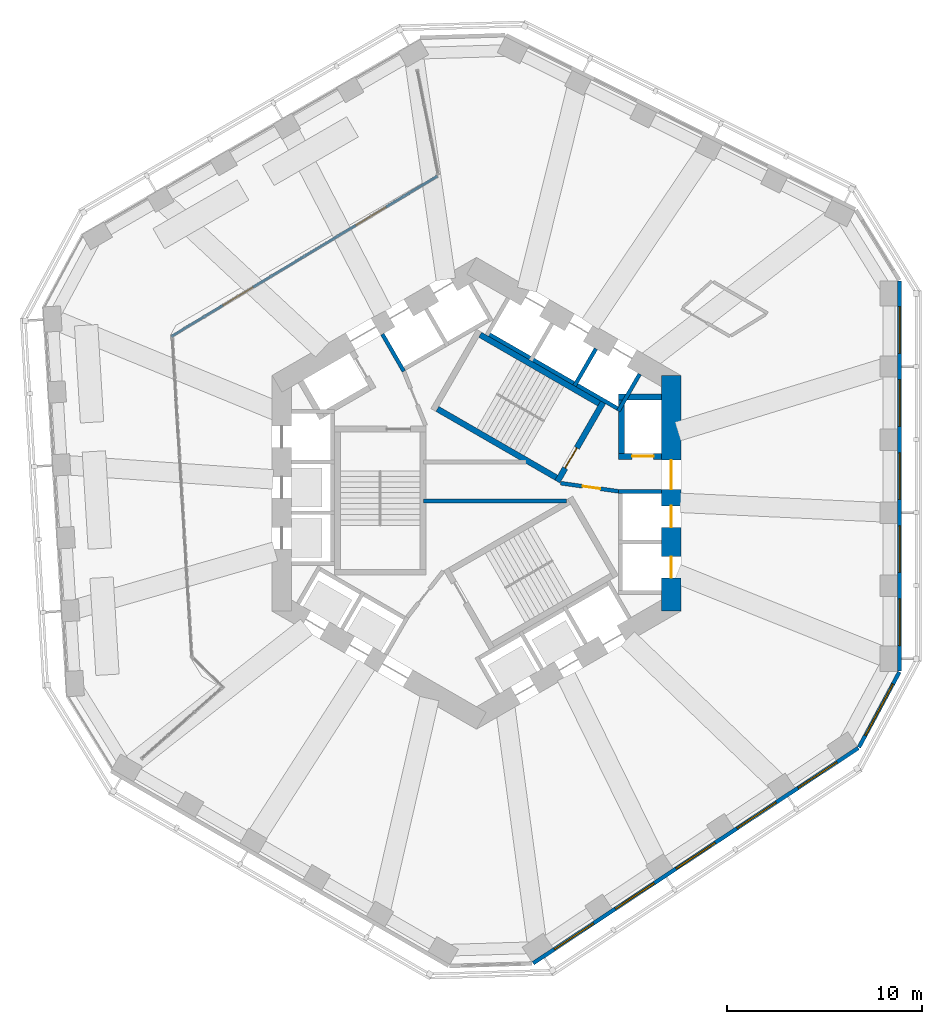
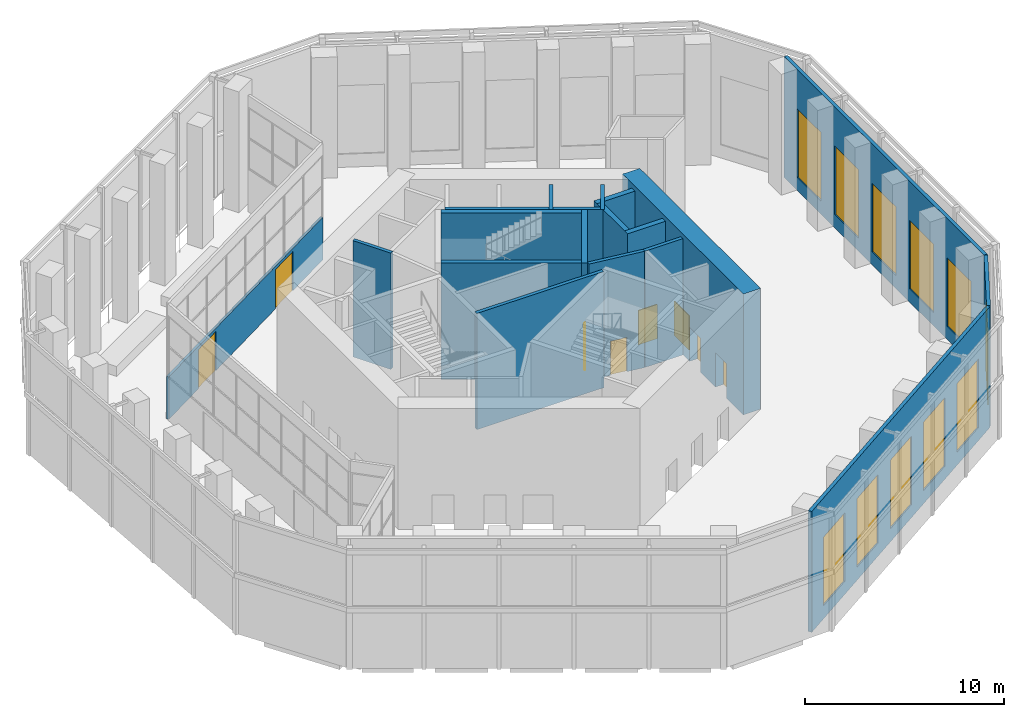
# One storey, part 11 of 19: 18 walls, 11 windows, 8 doors, 19 openings.
"""IFC4 building model written with IfcOpenShell, lengths in metres."""

import ifcopenshell
import ifcopenshell.guid

model = None  # the IFC model being written
_history = None  # IfcOwnerHistory: only IFC2X3 demands one
_inside = {}  # id of a spatial element -> (the spatial element, [elements in it])
_under = {}  # id of a project, library or spatial element -> (it, [spatial elements below it])
_declared = {}  # id of a project -> (the project, [libraries it declares])
_typed = {}  # id of a type object -> (the type object, [elements of that type])
_made_of = {}  # id of a material, layer set ... -> (it, [elements and type objects made of it])


def new_model(schema):
    """Start an empty IFC model of exactly this schema.

    Asked for "IFC4X3", IfcOpenShell would pick the latest addendum, in which some entities
    have other attributes; the version numbers below select the first issue.
    IFC2X3 requires an IfcOwnerHistory on every rooted entity: one is made here for all.
    """
    global model, _history
    if schema == "IFC4X3":
        model = ifcopenshell.file(schema_version=(4, 3, 0, 0))
    else:
        model = ifcopenshell.file(schema=schema)
    _inside.clear()
    _under.clear()
    _declared.clear()
    _typed.clear()
    _made_of.clear()
    _history = None
    if model.schema == "IFC2X3":
        org = make("IfcOrganization", Name="unknown")
        user = make(
            "IfcPersonAndOrganization",
            ThePerson=make("IfcPerson", FamilyName="unknown"),
            TheOrganization=org,
        )
        app = make(
            "IfcApplication",
            ApplicationDeveloper=org,
            Version="unknown",
            ApplicationFullName="unknown",
            ApplicationIdentifier="unknown",
        )
        _history = make(
            "IfcOwnerHistory",
            OwningUser=user,
            OwningApplication=app,
            ChangeAction="ADDED",
            CreationDate=0,
        )
    return model


def make(cls, **values):
    """One entity of the class cls with the attributes given. An attribute that is None is left unset."""
    return model.create_entity(
        cls, **{name: value for name, value in values.items() if value is not None}
    )


def rooted(cls, **values):
    """An entity with a GlobalId (a new one), such as an element, a storey or a relation."""
    return make(cls, GlobalId=ifcopenshell.guid.new(), OwnerHistory=_history, **values)


def si_unit(unit_type, name, prefix=None):
    """IfcSIUnit, for example si_unit("LENGTHUNIT", "METRE", prefix="MILLI")."""
    return make("IfcSIUnit", UnitType=unit_type, Prefix=prefix, Name=name)


def assignment(units):
    """IfcUnitAssignment: the units of a project."""
    return None if units is None else make("IfcUnitAssignment", Units=units)


def point(xyz):
    """IfcCartesianPoint."""
    return None if xyz is None else make("IfcCartesianPoint", Coordinates=xyz)


def direction(xyz):
    """IfcDirection."""
    return None if xyz is None else make("IfcDirection", DirectionRatios=xyz)


def frame(location, z_axis=None, x_axis=None):
    """IfcAxis2Placement3D, a coordinate frame: its origin and axes. An axis left out is left unset."""
    return make(
        "IfcAxis2Placement3D",
        Location=point(location),
        Axis=direction(z_axis),
        RefDirection=direction(x_axis),
    )


def frame_2d(location, x_axis=None):
    """IfcAxis2Placement2D, a coordinate frame in the plane: its origin and x axis."""
    return make(
        "IfcAxis2Placement2D", Location=point(location), RefDirection=direction(x_axis)
    )


def origin():
    """The frame at (0, 0, 0) with its axes left unset."""
    return frame((0.0, 0.0, 0.0))


def place(relative_to, where):
    """IfcLocalPlacement: puts the frame where relative to a parent placement (None: the world)."""
    return make(
        "IfcLocalPlacement", PlacementRelTo=relative_to, RelativePlacement=where
    )


def context(
    kind, dimensions, precision=None, world=None, true_north=None, identifier=None
):
    """IfcGeometricRepresentationContext, for example the 3D "Model" context."""
    return make(
        "IfcGeometricRepresentationContext",
        ContextIdentifier=identifier,
        ContextType=kind,
        CoordinateSpaceDimension=dimensions,
        Precision=precision,
        WorldCoordinateSystem=world,
        TrueNorth=true_north,
    )


def subcontext(parent, identifier, kind, view, scale=None):
    """IfcGeometricRepresentationSubContext, for example "Body" below "Model"."""
    return make(
        "IfcGeometricRepresentationSubContext",
        ContextIdentifier=identifier,
        ContextType=kind,
        ParentContext=parent,
        TargetScale=scale,
        TargetView=view,
    )


def project(units=None, contexts=None):
    """IfcProject with its units and contexts."""
    return rooted(
        "IfcProject",
        Name="project",
        RepresentationContexts=contexts,
        UnitsInContext=assignment(units),
    )


def spatial(cls, under=None, at=None, **own):
    """A site, building, storey or space (cls), placed at a placement, below another one or the project."""
    s = rooted(cls, ObjectPlacement=at, **own)
    if under is not None:
        _under.setdefault(under.id(), (under, []))[1].append(s)
    return s


def profile(cls, at=None, kind="AREA", **sizes):
    """A parametric profile (cls). Its sizes go by their IFC names, for example OverallWidth=200.0."""
    return make(cls, ProfileType=kind, Position=at, **sizes)


def rectangle(**sizes):
    """IfcRectangleProfileDef."""
    return profile("IfcRectangleProfileDef", **sizes)


def extrude(swept, where, along, depth):
    """IfcExtrudedAreaSolid: the profile swept, set in the frame where, extruded along a direction by depth."""
    return make(
        "IfcExtrudedAreaSolid",
        SweptArea=swept,
        Position=where,
        ExtrudedDirection=direction(along),
        Depth=depth,
    )


def shape(context_of_items, identifier, shape_type, items):
    """IfcShapeRepresentation: the items that make up one representation, for example the "Body"."""
    return make(
        "IfcShapeRepresentation",
        ContextOfItems=context_of_items,
        RepresentationIdentifier=identifier,
        RepresentationType=shape_type,
        Items=items,
    )


def material(Name=None, Category=None):
    """IfcMaterial."""
    return make("IfcMaterial", Name=Name, Category=Category)


def layer(
    of_material, thickness, ventilated=None, Name=None, Category=None, Priority=None
):
    """IfcMaterialLayer: one layer of a wall or slab, of a material (None: an air gap)."""
    return make(
        "IfcMaterialLayer",
        Material=of_material,
        LayerThickness=thickness,
        IsVentilated=ventilated,
        Name=Name,
        Category=Category,
        Priority=Priority,
    )


def layer_set(layers, Name=None):
    """IfcMaterialLayerSet."""
    return make("IfcMaterialLayerSet", MaterialLayers=layers, LayerSetName=Name)


def made_of(thing, what):
    """Note that an element or type object is made of a material, layer set ...; save() writes the relation."""
    if what is not None:
        _made_of.setdefault(what.id(), (what, []))[1].append(thing)
    return thing


def type_object(cls, material=None, **own):
    """A type object (cls), such as IfcWallType, which elements share."""
    return made_of(rooted(cls, **own), material)


def element(
    cls,
    number,
    at=None,
    inside=None,
    cuts=None,
    type_object=None,
    material=None,
    context=None,
    identifier="Body",
    shape_type=None,
    held_by="IfcProductDefinitionShape",
    body=None,
    shapes=None,
    **own,
):
    """One element of the class cls, such as IfcWall. Its Tag is "e" and its number.

    at: its placement. inside: the storey or other place that contains it. cuts: it is an
    opening in that element (IfcRelVoidsElement). A single representation is given by context,
    identifier, shape_type and body (its items); several are given by shapes. held_by: the class
    of the entity that holds the representations. save() writes the other relations.
    """
    e = rooted(cls, Tag="e%d" % number, ObjectPlacement=at, **own)
    if body is not None:
        shapes = [shape(context, identifier, shape_type, body)]
    if shapes is not None:
        e.Representation = make(held_by, Representations=shapes)
    if inside is not None:
        _inside.setdefault(inside.id(), (inside, []))[1].append(e)
    if cuts is not None:
        rooted(
            "IfcRelVoidsElement", RelatingBuildingElement=cuts, RelatedOpeningElement=e
        )
    if type_object is not None:
        _typed.setdefault(type_object.id(), (type_object, []))[1].append(e)
    return made_of(e, material)


def fill(opening, filler):
    """IfcRelFillsElement: the door or window that sits in an opening."""
    return rooted(
        "IfcRelFillsElement",
        RelatingOpeningElement=opening,
        RelatedBuildingElement=filler,
    )


def aggregate(whole, parts):
    """IfcRelAggregates: a whole, such as a stair, and the parts it consists of."""
    return rooted("IfcRelAggregates", RelatingObject=whole, RelatedObjects=parts)


def save(model, path):
    """Write the relations noted so far, then the file.

    IfcRelAggregates (storeys below a building ...), IfcRelContainedInSpatialStructure (elements
    in a storey), IfcRelDefinesByType, IfcRelAssociatesMaterial and IfcRelDeclares: one each for
    every whole, place, type object, material and project.
    """
    for whole, parts in _under.values():
        aggregate(whole, parts)
    for where, things in _inside.values():
        rooted(
            "IfcRelContainedInSpatialStructure",
            RelatedElements=things,
            RelatingStructure=where,
        )
    for kind, things in _typed.values():
        rooted("IfcRelDefinesByType", RelatedObjects=things, RelatingType=kind)
    for what, things in _made_of.values():
        rooted("IfcRelAssociatesMaterial", RelatedObjects=things, RelatingMaterial=what)
    for by, libraries in _declared.values():
        rooted("IfcRelDeclares", RelatingContext=by, RelatedDefinitions=libraries)
    model.write(path)


model = new_model("IFC4")

# Units and contexts
model_context = context("Model", 3, precision=1e-05, world=origin(), true_north=direction((0.0, 1.0)))
body_context = subcontext(model_context, "Body", "Model", "MODEL_VIEW")
ifc_project = project(units=[si_unit("LENGTHUNIT", "METRE"), si_unit("AREAUNIT", "SQUARE_METRE"), si_unit("VOLUMEUNIT", "CUBIC_METRE"), si_unit("PLANEANGLEUNIT", "RADIAN"), si_unit("MASSUNIT", "GRAM", prefix="KILO")], contexts=[model_context])

# Site, building, storey
site_placement = place(None, origin())
site = spatial("IfcSite", under=ifc_project, at=site_placement, CompositionType="ELEMENT")
building_placement = place(site_placement, origin())
building = spatial("IfcBuilding", under=site, at=building_placement, Name="Vanh Sen Convention Tower", CompositionType="ELEMENT")
storey_placement = place(building_placement, frame((0.0, 0.0, 139.199951171875)))
storey = spatial("IfcBuildingStorey", under=building, at=storey_placement, Name="L34", CompositionType="ELEMENT", Elevation=139.199951171875)

# Wall, openings, doors
ifc_material_1 = material(Name="Concrete C80/95", Category="concrete")
ifc_layer_1 = layer(ifc_material_1, 1.0)
ifc_layer_set_1 = layer_set([ifc_layer_1], Name="Concrete C80/95")
wall_type_1 = type_object("IfcWallType", Name="Core outer wall 1000 C80/95", PredefinedType="SHEAR", material=ifc_layer_set_1)
wall_1_placement = place(storey_placement, frame((10.0, -6.062255859375, 0.0), z_axis=(0.0, 0.0, 1.0), x_axis=(0.0, 1.0, 0.0)))
wall_1 = element("IfcWall", 1, at=wall_1_placement, inside=storey, type_object=wall_type_1, Name="Core wall face E L34", PredefinedType="SHEAR", context=body_context, shape_type="SweptSolid", body=[
    extrude(rectangle(XDim=12.12451171875, YDim=1.0, at=frame_2d((6.062255859375, 0.0))), origin(), (0.0, 0.0, 1.0), 7.400146484375),
])
opening_1_placement = place(wall_1_placement, frame((6.26220703125, 0.0, 0.0)))
opening_1 = element("IfcOpeningElement", 2, at=opening_1_placement, cuts=wall_1, Name="Opening D34001", PredefinedType="OPENING", context=body_context, shape_type="SweptSolid", body=[
    extrude(rectangle(XDim=1.5, YDim=2.10009765625, at=frame_2d((0.75, 1.050048828125))), frame((0.0, 0.510009765625, 0.0), z_axis=(0.0, -1.0, 0.0), x_axis=(1.0, 0.0, 0.0)), (0.0, 0.0, 1.0), 1.02001953125),
])
opening_2_placement = place(wall_1_placement, frame((1.712158203125, 0.0, 0.0)))
opening_2 = element("IfcOpeningElement", 3, at=opening_2_placement, cuts=wall_1, Name="Opening LD-LR1", PredefinedType="OPENING", context=body_context, shape_type="SweptSolid", body=[
    extrude(rectangle(XDim=1.10009765625, YDim=2.10009765625, at=frame_2d((0.550048828125, 1.050048828125))), frame((0.0, 0.510009765625, 0.0), z_axis=(0.0, -1.0, 0.0), x_axis=(1.0, 0.0, 0.0)), (0.0, 0.0, 1.0), 1.02001953125),
])
opening_3_placement = place(wall_1_placement, frame((4.312255859375, 0.0, 0.0)))
opening_3 = element("IfcOpeningElement", 4, at=opening_3_placement, cuts=wall_1, Name="Opening LD-LR2", PredefinedType="OPENING", context=body_context, shape_type="SweptSolid", body=[
    extrude(rectangle(XDim=1.10009765625, YDim=2.10009765625, at=frame_2d((0.550048828125, 1.050048828125))), frame((0.0, 0.510009765625, 0.0), z_axis=(0.0, -1.0, 0.0), x_axis=(1.0, 0.0, 0.0)), (0.0, 0.0, 1.0), 1.02001953125),
])
ifc_material_2 = material(Name="Stainless steel", Category="steel")
door_type_1 = type_object("IfcDoorType", Name="Lift landing door 1100", OperationType="DOUBLE_DOOR_SLIDING", PredefinedType="DOOR", material=ifc_material_2)
door_1_placement = place(opening_2_placement, origin())
door_1 = element("IfcDoor", 5, at=door_1_placement, inside=storey, type_object=door_type_1, Name="Lift LR1 landing door LD-LR1", OperationType="DOUBLE_DOOR_SLIDING", OverallHeight=2.10009765625, OverallWidth=1.10009765625, PredefinedType="DOOR", context=body_context, shape_type="SweptSolid", body=[
    extrude(rectangle(XDim=1.10009765625, YDim=2.10009765625, at=frame_2d((0.550048828125, 1.050048828125))), frame((0.0, 0.02490234375, 0.0), z_axis=(0.0, -1.0, 0.0), x_axis=(1.0, 0.0, 0.0)), (0.0, 0.0, 1.0), 0.050048828125),
])
fill(opening_2, door_1)
door_2_placement = place(opening_3_placement, origin())
door_2 = element("IfcDoor", 6, at=door_2_placement, inside=storey, type_object=door_type_1, Name="Lift LR2 landing door LD-LR2", OperationType="DOUBLE_DOOR_SLIDING", OverallHeight=2.10009765625, OverallWidth=1.10009765625, PredefinedType="DOOR", context=body_context, shape_type="SweptSolid", body=[
    extrude(rectangle(XDim=1.10009765625, YDim=2.10009765625, at=frame_2d((0.550048828125, 1.050048828125))), frame((0.0, 0.02490234375, 0.0), z_axis=(0.0, -1.0, 0.0), x_axis=(1.0, 0.0, 0.0)), (0.0, 0.0, 1.0), 0.050048828125),
])
fill(opening_3, door_2)
ifc_material_3 = material(Name="Steel S355", Category="steel")
door_type_2 = type_object("IfcDoorType", Name="Stair lobby door 1500", OperationType="DOUBLE_DOOR_SINGLE_SWING", PredefinedType="DOOR", material=ifc_material_3)
door_3_placement = place(opening_1_placement, origin())
door_3 = element("IfcDoor", 7, at=door_3_placement, inside=storey, type_object=door_type_2, Name="Stair lobby door D34001", OperationType="DOUBLE_DOOR_SINGLE_SWING", OverallHeight=2.10009765625, OverallWidth=1.5, PredefinedType="DOOR", context=body_context, shape_type="SweptSolid", body=[
    extrude(rectangle(XDim=1.5, YDim=2.10009765625, at=frame_2d((0.75, 1.050048828125))), frame((0.0, 0.02490234375, 0.0), z_axis=(0.0, -1.0, 0.0), x_axis=(1.0, 0.0, 0.0)), (0.0, 0.0, 1.0), 0.050048828125),
])
fill(opening_1, door_3)

# Wall
ifc_material_4 = material(Name="Masonry blockwork", Category="masonry")
ifc_layer_2 = layer(ifc_material_4, 0.199951171875)
ifc_layer_set_2 = layer_set([ifc_layer_2], Name="Masonry blockwork")
wall_type_2 = type_object("IfcWallType", Name="Core partition 200", PredefinedType="PARTITIONING", material=ifc_layer_set_2)
wall_2_placement = place(storey_placement, frame((-2.719970703125, -0.39990234375, 0.0), z_axis=(0.0, 0.0, 1.0), x_axis=(1.0, 0.0, 0.0)))
element("IfcWall", 8, at=wall_2_placement, inside=storey, type_object=wall_type_2, Name="Core partition L34", PredefinedType="PARTITIONING", context=body_context, shape_type="SweptSolid", body=[
    extrude(rectangle(XDim=7.34716796875, YDim=0.199951171875, at=frame_2d((3.673583984375, 0.0))), origin(), (0.0, 0.0, 1.0), 7.1201171875),
])

# Wall, openings, windows
ifc_material_5 = material(Name="Insulated lightweight infill wall")
ifc_layer_3 = layer(ifc_material_5, 0.199951171875)
ifc_layer_set_3 = layer_set([ifc_layer_3], Name="Insulated lightweight infill wall")
wall_type_3 = type_object("IfcWallType", Name="External wall 200", PredefinedType="STANDARD", material=ifc_layer_set_3)
wall_3_placement = place(storey_placement, frame((21.75, -9.138427734375, 0.0), z_axis=(0.0, 0.0, 1.0), x_axis=(0.0, 1.0, 0.0)))
wall_3 = element("IfcWall", 9, at=wall_3_placement, inside=storey, type_object=wall_type_3, Name="External wall E L34", PredefinedType="STANDARD", context=body_context, shape_type="SweptSolid", body=[
    extrude(rectangle(XDim=20.043701171875, YDim=0.199951171875, at=frame_2d((10.02197265625, 0.0))), origin(), (0.0, 0.0, 1.0), 7.400146484375),
])
opening_4_placement = place(wall_3_placement, frame((1.314453125, 0.0, 0.800048828125)))
opening_4 = element("IfcOpeningElement", 10, at=opening_4_placement, cuts=wall_3, Name="Opening WS2-E1", PredefinedType="OPENING", context=body_context, shape_type="SweptSolid", body=[
    extrude(rectangle(XDim=2.39990234375, YDim=4.199951171875, at=frame_2d((1.199951171875, 2.10009765625))), frame((0.0, 0.10986328125, 0.0), z_axis=(0.0, -1.0, 0.0), x_axis=(1.0, 0.0, 0.0)), (0.0, 0.0, 1.0), 0.219970703125),
])
opening_5_placement = place(wall_3_placement, frame((5.068603515625, 0.0, 0.800048828125)))
opening_5 = element("IfcOpeningElement", 11, at=opening_5_placement, cuts=wall_3, Name="Opening WS2-E2", PredefinedType="OPENING", context=body_context, shape_type="SweptSolid", body=[
    extrude(rectangle(XDim=2.39990234375, YDim=4.199951171875, at=frame_2d((1.199951171875, 2.10009765625))), frame((0.0, 0.10986328125, 0.0), z_axis=(0.0, -1.0, 0.0), x_axis=(1.0, 0.0, 0.0)), (0.0, 0.0, 1.0), 0.219970703125),
])
opening_6_placement = place(wall_3_placement, frame((8.82275390625, 0.0, 0.800048828125)))
opening_6 = element("IfcOpeningElement", 12, at=opening_6_placement, cuts=wall_3, Name="Opening WS2-E3", PredefinedType="OPENING", context=body_context, shape_type="SweptSolid", body=[
    extrude(rectangle(XDim=2.39990234375, YDim=4.199951171875, at=frame_2d((1.199951171875, 2.10009765625))), frame((0.0, 0.10986328125, 0.0), z_axis=(0.0, -1.0, 0.0), x_axis=(1.0, 0.0, 0.0)), (0.0, 0.0, 1.0), 0.219970703125),
])
opening_7_placement = place(wall_3_placement, frame((12.576904296875, 0.0, 0.800048828125)))
opening_7 = element("IfcOpeningElement", 13, at=opening_7_placement, cuts=wall_3, Name="Opening WS2-E4", PredefinedType="OPENING", context=body_context, shape_type="SweptSolid", body=[
    extrude(rectangle(XDim=2.39990234375, YDim=4.199951171875, at=frame_2d((1.199951171875, 2.10009765625))), frame((0.0, 0.10986328125, 0.0), z_axis=(0.0, -1.0, 0.0), x_axis=(1.0, 0.0, 0.0)), (0.0, 0.0, 1.0), 0.219970703125),
])
opening_8_placement = place(wall_3_placement, frame((16.330810546875, 0.0, 0.800048828125)))
opening_8 = element("IfcOpeningElement", 14, at=opening_8_placement, cuts=wall_3, Name="Opening WS2-E5", PredefinedType="OPENING", context=body_context, shape_type="SweptSolid", body=[
    extrude(rectangle(XDim=2.39990234375, YDim=4.199951171875, at=frame_2d((1.199951171875, 2.10009765625))), frame((0.0, 0.10986328125, 0.0), z_axis=(0.0, -1.0, 0.0), x_axis=(1.0, 0.0, 0.0)), (0.0, 0.0, 1.0), 0.219970703125),
])
ifc_material_6 = material(Name="Aluminium frame with clear low-emissivity glass", Category="aluminium")
window_type_1 = type_object("IfcWindowType", Name="Sky garden window 2400 x 4200", PartitioningType="SINGLE_PANEL", PredefinedType="WINDOW", material=ifc_material_6)
window_1_placement = place(opening_4_placement, origin())
window_1 = element("IfcWindow", 15, at=window_1_placement, inside=storey, type_object=window_type_1, Name="Window WS2-E1", OverallHeight=4.199951171875, OverallWidth=2.39990234375, PartitioningType="SINGLE_PANEL", PredefinedType="WINDOW", context=body_context, shape_type="SweptSolid", body=[
    extrude(rectangle(XDim=2.39990234375, YDim=4.199951171875, at=frame_2d((1.199951171875, 2.10009765625))), frame((0.0, 0.030029296875, 0.0), z_axis=(0.0, -1.0, 0.0), x_axis=(1.0, 0.0, 0.0)), (0.0, 0.0, 1.0), 0.06005859375),
])
fill(opening_4, window_1)
window_2_placement = place(opening_5_placement, origin())
window_2 = element("IfcWindow", 16, at=window_2_placement, inside=storey, type_object=window_type_1, Name="Window WS2-E2", OverallHeight=4.199951171875, OverallWidth=2.39990234375, PartitioningType="SINGLE_PANEL", PredefinedType="WINDOW", context=body_context, shape_type="SweptSolid", body=[
    extrude(rectangle(XDim=2.39990234375, YDim=4.199951171875, at=frame_2d((1.199951171875, 2.10009765625))), frame((0.0, 0.030029296875, 0.0), z_axis=(0.0, -1.0, 0.0), x_axis=(1.0, 0.0, 0.0)), (0.0, 0.0, 1.0), 0.06005859375),
])
fill(opening_5, window_2)
window_3_placement = place(opening_6_placement, origin())
window_3 = element("IfcWindow", 17, at=window_3_placement, inside=storey, type_object=window_type_1, Name="Window WS2-E3", OverallHeight=4.199951171875, OverallWidth=2.39990234375, PartitioningType="SINGLE_PANEL", PredefinedType="WINDOW", context=body_context, shape_type="SweptSolid", body=[
    extrude(rectangle(XDim=2.39990234375, YDim=4.199951171875, at=frame_2d((1.199951171875, 2.10009765625))), frame((0.0, 0.030029296875, 0.0), z_axis=(0.0, -1.0, 0.0), x_axis=(1.0, 0.0, 0.0)), (0.0, 0.0, 1.0), 0.06005859375),
])
fill(opening_6, window_3)
window_4_placement = place(opening_7_placement, origin())
window_4 = element("IfcWindow", 18, at=window_4_placement, inside=storey, type_object=window_type_1, Name="Window WS2-E4", OverallHeight=4.199951171875, OverallWidth=2.39990234375, PartitioningType="SINGLE_PANEL", PredefinedType="WINDOW", context=body_context, shape_type="SweptSolid", body=[
    extrude(rectangle(XDim=2.39990234375, YDim=4.199951171875, at=frame_2d((1.199951171875, 2.10009765625))), frame((0.0, 0.030029296875, 0.0), z_axis=(0.0, -1.0, 0.0), x_axis=(1.0, 0.0, 0.0)), (0.0, 0.0, 1.0), 0.06005859375),
])
fill(opening_7, window_4)
window_5_placement = place(opening_8_placement, origin())
window_5 = element("IfcWindow", 19, at=window_5_placement, inside=storey, type_object=window_type_1, Name="Window WS2-E5", OverallHeight=4.199951171875, OverallWidth=2.39990234375, PartitioningType="SINGLE_PANEL", PredefinedType="WINDOW", context=body_context, shape_type="SweptSolid", body=[
    extrude(rectangle(XDim=2.39990234375, YDim=4.199951171875, at=frame_2d((1.199951171875, 2.10009765625))), frame((0.0, 0.030029296875, 0.0), z_axis=(0.0, -1.0, 0.0), x_axis=(1.0, 0.0, 0.0)), (0.0, 0.0, 1.0), 0.06005859375),
])
fill(opening_8, window_5)

wall_4_placement = place(storey_placement, frame((2.910888671875, -24.156005859375, 0.0), z_axis=(0.0, 0.0, 1.0), x_axis=(0.833882163564, 0.551942512668, 0.0)))
wall_4 = element("IfcWall", 20, at=wall_4_placement, inside=storey, type_object=wall_type_3, Name="External wall SE L34", PredefinedType="STANDARD", context=body_context, shape_type="SweptSolid", body=[
    extrude(rectangle(XDim=20.043701171875, YDim=0.199951171875, at=frame_2d((10.02197265625, 0.0))), origin(), (0.0, 0.0, 1.0), 7.400146484375),
])
opening_9_placement = place(wall_4_placement, frame((1.312744140625, 0.0, 0.800048828125)))
opening_9 = element("IfcOpeningElement", 21, at=opening_9_placement, cuts=wall_4, Name="Opening WS2-SE1", PredefinedType="OPENING", context=body_context, shape_type="SweptSolid", body=[
    extrude(rectangle(XDim=2.39990234375, YDim=4.199951171875, at=frame_2d((1.199951171875, 2.10009765625))), frame((0.0, 0.10986328125, 0.0), z_axis=(0.0, -1.0, 0.0), x_axis=(1.0, 0.0, 0.0)), (0.0, 0.0, 1.0), 0.219970703125),
])
opening_10_placement = place(wall_4_placement, frame((5.06689453125, 0.0, 0.800048828125)))
opening_10 = element("IfcOpeningElement", 22, at=opening_10_placement, cuts=wall_4, Name="Opening WS2-SE2", PredefinedType="OPENING", context=body_context, shape_type="SweptSolid", body=[
    extrude(rectangle(XDim=2.39990234375, YDim=4.199951171875, at=frame_2d((1.199951171875, 2.10009765625))), frame((0.0, 0.10986328125, 0.0), z_axis=(0.0, -1.0, 0.0), x_axis=(1.0, 0.0, 0.0)), (0.0, 0.0, 1.0), 0.219970703125),
])
opening_11_placement = place(wall_4_placement, frame((8.82080078125, 0.0, 0.800048828125)))
opening_11 = element("IfcOpeningElement", 23, at=opening_11_placement, cuts=wall_4, Name="Opening WS2-SE3", PredefinedType="OPENING", context=body_context, shape_type="SweptSolid", body=[
    extrude(rectangle(XDim=2.39990234375, YDim=4.199951171875, at=frame_2d((1.199951171875, 2.10009765625))), frame((0.0, 0.10986328125, 0.0), z_axis=(0.0, -1.0, 0.0), x_axis=(1.0, 0.0, 0.0)), (0.0, 0.0, 1.0), 0.219970703125),
])
opening_12_placement = place(wall_4_placement, frame((12.5751953125, 0.0, 0.800048828125)))
opening_12 = element("IfcOpeningElement", 24, at=opening_12_placement, cuts=wall_4, Name="Opening WS2-SE4", PredefinedType="OPENING", context=body_context, shape_type="SweptSolid", body=[
    extrude(rectangle(XDim=2.39990234375, YDim=4.199951171875, at=frame_2d((1.199951171875, 2.10009765625))), frame((0.0, 0.10986328125, 0.0), z_axis=(0.0, -1.0, 0.0), x_axis=(1.0, 0.0, 0.0)), (0.0, 0.0, 1.0), 0.219970703125),
])
opening_13_placement = place(wall_4_placement, frame((16.3291015625, 0.0, 0.800048828125)))
opening_13 = element("IfcOpeningElement", 25, at=opening_13_placement, cuts=wall_4, Name="Opening WS2-SE5", PredefinedType="OPENING", context=body_context, shape_type="SweptSolid", body=[
    extrude(rectangle(XDim=2.39990234375, YDim=4.199951171875, at=frame_2d((1.199951171875, 2.10009765625))), frame((0.0, 0.10986328125, 0.0), z_axis=(0.0, -1.0, 0.0), x_axis=(1.0, 0.0, 0.0)), (0.0, 0.0, 1.0), 0.219970703125),
])
window_6_placement = place(opening_9_placement, origin())
window_6 = element("IfcWindow", 26, at=window_6_placement, inside=storey, type_object=window_type_1, Name="Window WS2-SE1", OverallHeight=4.199951171875, OverallWidth=2.39990234375, PartitioningType="SINGLE_PANEL", PredefinedType="WINDOW", context=body_context, shape_type="SweptSolid", body=[
    extrude(rectangle(XDim=2.39990234375, YDim=4.199951171875, at=frame_2d((1.199951171875, 2.10009765625))), frame((0.0, 0.030029296875, 0.0), z_axis=(0.0, -1.0, 0.0), x_axis=(1.0, 0.0, 0.0)), (0.0, 0.0, 1.0), 0.06005859375),
])
fill(opening_9, window_6)
window_7_placement = place(opening_10_placement, origin())
window_7 = element("IfcWindow", 27, at=window_7_placement, inside=storey, type_object=window_type_1, Name="Window WS2-SE2", OverallHeight=4.199951171875, OverallWidth=2.39990234375, PartitioningType="SINGLE_PANEL", PredefinedType="WINDOW", context=body_context, shape_type="SweptSolid", body=[
    extrude(rectangle(XDim=2.39990234375, YDim=4.199951171875, at=frame_2d((1.199951171875, 2.10009765625))), frame((0.0, 0.030029296875, 0.0), z_axis=(0.0, -1.0, 0.0), x_axis=(1.0, 0.0, 0.0)), (0.0, 0.0, 1.0), 0.06005859375),
])
fill(opening_10, window_7)
window_8_placement = place(opening_11_placement, origin())
window_8 = element("IfcWindow", 28, at=window_8_placement, inside=storey, type_object=window_type_1, Name="Window WS2-SE3", OverallHeight=4.199951171875, OverallWidth=2.39990234375, PartitioningType="SINGLE_PANEL", PredefinedType="WINDOW", context=body_context, shape_type="SweptSolid", body=[
    extrude(rectangle(XDim=2.39990234375, YDim=4.199951171875, at=frame_2d((1.199951171875, 2.10009765625))), frame((0.0, 0.030029296875, 0.0), z_axis=(0.0, -1.0, 0.0), x_axis=(1.0, 0.0, 0.0)), (0.0, 0.0, 1.0), 0.06005859375),
])
fill(opening_11, window_8)
window_9_placement = place(opening_12_placement, origin())
window_9 = element("IfcWindow", 29, at=window_9_placement, inside=storey, type_object=window_type_1, Name="Window WS2-SE4", OverallHeight=4.199951171875, OverallWidth=2.39990234375, PartitioningType="SINGLE_PANEL", PredefinedType="WINDOW", context=body_context, shape_type="SweptSolid", body=[
    extrude(rectangle(XDim=2.39990234375, YDim=4.199951171875, at=frame_2d((1.199951171875, 2.10009765625))), frame((0.0, 0.030029296875, 0.0), z_axis=(0.0, -1.0, 0.0), x_axis=(1.0, 0.0, 0.0)), (0.0, 0.0, 1.0), 0.06005859375),
])
fill(opening_12, window_9)
window_10_placement = place(opening_13_placement, origin())
window_10 = element("IfcWindow", 30, at=window_10_placement, inside=storey, type_object=window_type_1, Name="Window WS2-SE5", OverallHeight=4.199951171875, OverallWidth=2.39990234375, PartitioningType="SINGLE_PANEL", PredefinedType="WINDOW", context=body_context, shape_type="SweptSolid", body=[
    extrude(rectangle(XDim=2.39990234375, YDim=4.199951171875, at=frame_2d((1.199951171875, 2.10009765625))), frame((0.0, 0.030029296875, 0.0), z_axis=(0.0, -1.0, 0.0), x_axis=(1.0, 0.0, 0.0)), (0.0, 0.0, 1.0), 0.06005859375),
])
fill(opening_13, window_10)

# Wall, opening, window
wall_5_placement = place(storey_placement, frame((19.657958984375, -13.05712890625, 0.0), z_axis=(0.0, 0.0, 1.0), x_axis=(0.473307879841, 0.880897071672, 0.0)))
wall_5 = element("IfcWall", 31, at=wall_5_placement, inside=storey, type_object=wall_type_3, Name="External wall CH6 L34", PredefinedType="STANDARD", context=body_context, shape_type="SweptSolid", body=[
    extrude(rectangle(XDim=4.394775390625, YDim=0.199951171875, at=frame_2d((2.197265625, 0.0))), origin(), (0.0, 0.0, 1.0), 7.400146484375),
])
opening_14_placement = place(wall_5_placement, frame((0.697509765625, 0.0, 0.800048828125)))
opening_14 = element("IfcOpeningElement", 32, at=opening_14_placement, cuts=wall_5, Name="Opening WS1-CH61", PredefinedType="OPENING", context=body_context, shape_type="SweptSolid", body=[
    extrude(rectangle(XDim=3.0, YDim=4.199951171875, at=frame_2d((1.5, 2.10009765625))), frame((0.0, 0.10986328125, 0.0), z_axis=(0.0, -1.0, 0.0), x_axis=(1.0, 0.0, 0.0)), (0.0, 0.0, 1.0), 0.219970703125),
])
window_type_2 = type_object("IfcWindowType", Name="Sky garden window 3000 x 4200", PartitioningType="SINGLE_PANEL", PredefinedType="WINDOW", material=ifc_material_6)
window_11_placement = place(opening_14_placement, origin())
window_11 = element("IfcWindow", 33, at=window_11_placement, inside=storey, type_object=window_type_2, Name="Window WS1-CH61", OverallHeight=4.199951171875, OverallWidth=3.0, PartitioningType="SINGLE_PANEL", PredefinedType="WINDOW", context=body_context, shape_type="SweptSolid", body=[
    extrude(rectangle(XDim=3.0, YDim=4.199951171875, at=frame_2d((1.5, 2.10009765625))), frame((0.0, 0.030029296875, 0.0), z_axis=(0.0, -1.0, 0.0), x_axis=(1.0, 0.0, 0.0)), (0.0, 0.0, 1.0), 0.06005859375),
])
fill(opening_14, window_11)

# Wall, opening, door
ifc_material_7 = material(Name="Concrete C60/75", Category="concrete")
ifc_layer_4 = layer(ifc_material_7, 0.300048828125)
ifc_layer_set_4 = layer_set([ifc_layer_4], Name="Concrete C60/75")
wall_type_4 = type_object("IfcWallType", Name="Fire-fighting lift shaft wall 300", PredefinedType="SHEAR", material=ifc_layer_set_4)
wall_6_placement = place(storey_placement, frame((7.300048828125, 1.89990234375, 0.0), z_axis=(0.0, 0.0, 1.0), x_axis=(1.0, 0.0, 0.0)))
wall_6 = element("IfcWall", 34, at=wall_6_placement, inside=storey, type_object=wall_type_4, Name="Fire-fighting lift shaft wall L34", PredefinedType="SHEAR", context=body_context, shape_type="SweptSolid", body=[
    extrude(rectangle(XDim=2.199951171875, YDim=0.300048828125, at=frame_2d((1.10009765625, 0.0))), origin(), (0.0, 0.0, 1.0), 7.1201171875),
])
opening_15_placement = place(wall_6_placement, frame((0.699951171875, 0.0, 0.0)))
opening_15 = element("IfcOpeningElement", 35, at=opening_15_placement, cuts=wall_6, Name="Opening LD-FF1", PredefinedType="OPENING", context=body_context, shape_type="SweptSolid", body=[
    extrude(rectangle(XDim=1.10009765625, YDim=2.10009765625, at=frame_2d((0.550048828125, 1.050048828125))), frame((0.0, 0.159912109375, 0.0), z_axis=(0.0, -1.0, 0.0), x_axis=(1.0, 0.0, 0.0)), (0.0, 0.0, 1.0), 0.320068359375),
])
door_type_3 = type_object("IfcDoorType", Name="Fire-fighting lift landing door 1100", OperationType="DOUBLE_DOOR_SLIDING", PredefinedType="DOOR", material=ifc_material_2)
door_4_placement = place(opening_15_placement, origin())
door_4 = element("IfcDoor", 36, at=door_4_placement, inside=storey, type_object=door_type_3, Name="Lift FF1 landing door LD-FF1", OperationType="DOUBLE_DOOR_SLIDING", OverallHeight=2.10009765625, OverallWidth=1.10009765625, PredefinedType="DOOR", context=body_context, shape_type="SweptSolid", body=[
    extrude(rectangle(XDim=1.10009765625, YDim=2.10009765625, at=frame_2d((0.550048828125, 1.050048828125))), frame((0.0, 0.02490234375, 0.0), z_axis=(0.0, -1.0, 0.0), x_axis=(1.0, 0.0, 0.0)), (0.0, 0.0, 1.0), 0.050048828125),
])
fill(opening_15, door_4)

# Walls
wall_7_placement = place(storey_placement, frame((7.449951171875, 1.75, 0.0), z_axis=(0.0, 0.0, 1.0), x_axis=(0.0, 1.0, 0.0)))
element("IfcWall", 37, at=wall_7_placement, inside=storey, type_object=wall_type_4, Name="Fire-fighting lift shaft wall L34", PredefinedType="SHEAR", context=body_context, shape_type="SweptSolid", body=[
    extrude(rectangle(XDim=3.35009765625, YDim=0.300048828125, at=frame_2d((1.675048828125, 0.0))), origin(), (0.0, 0.0, 1.0), 7.1201171875),
])
wall_8_placement = place(storey_placement, frame((7.300048828125, 4.949951171875, 0.0), z_axis=(0.0, 0.0, 1.0), x_axis=(1.0, 0.0, 0.0)))
element("IfcWall", 38, at=wall_8_placement, inside=storey, type_object=wall_type_4, Name="Fire-fighting lift shaft wall L34", PredefinedType="SHEAR", context=body_context, shape_type="SweptSolid", body=[
    extrude(rectangle(XDim=2.199951171875, YDim=0.300048828125, at=frame_2d((1.10009765625, 0.0))), origin(), (0.0, 0.0, 1.0), 7.1201171875),
])
ifc_material_8 = material(Name="Concrete C40/50", Category="concrete")
ifc_layer_5 = layer(ifc_material_8, 0.199951171875)
ifc_layer_set_5 = layer_set([ifc_layer_5], Name="Concrete C40/50")
wall_type_5 = type_object("IfcWallType", Name="Lift shaft wall 200", PredefinedType="PARTITIONING", material=ifc_layer_set_5)
wall_9_placement = place(storey_placement, frame((7.300048828125, 0.10009765625, 0.0), z_axis=(0.0, 0.0, 1.0), x_axis=(1.0, 0.0, 0.0)))
element("IfcWall", 39, at=wall_9_placement, inside=storey, type_object=wall_type_5, Name="Lift shaft wall L34", PredefinedType="PARTITIONING", context=body_context, shape_type="SweptSolid", body=[
    extrude(rectangle(XDim=2.199951171875, YDim=0.199951171875, at=frame_2d((1.10009765625, 0.0))), origin(), (0.0, 0.0, 1.0), 7.1201171875),
])
wall_10_placement = place(storey_placement, frame((7.423828125, 4.258544921875, 0.0), z_axis=(0.0, 0.0, 1.0), x_axis=(-0.866026010844, 0.49999894854, 0.0)))
element("IfcWall", 40, at=wall_10_placement, inside=storey, type_object=wall_type_5, Name="Lift shaft wall L34", PredefinedType="PARTITIONING", context=body_context, shape_type="SweptSolid", body=[
    extrude(rectangle(XDim=8.0, YDim=0.199951171875, at=frame_2d((4.0, 0.0))), origin(), (0.0, 0.0, 1.0), 7.1201171875),
])
for number, where, z_axis, x_axis, name in (
    (41, (7.287353515625, 4.221923828125, 0.0), (0.0, 0.0, 1.0), (0.499946605688, 0.86605622881, 0.0), "Lift shaft wall L34"),
    (42, (5.03564453125, 5.52197265625, 0.0), (0.0, 0.0, 1.0), (0.499946605688, 0.86605622881, 0.0), "Lift shaft wall L34"),
    (43, (-3.736572265625, 6.27197265625, 0.0), (0.0, 0.0, 1.0), (-0.50002983664, 0.866008176907, 0.0), "Lift shaft wall L34"),
):
    element("IfcWall", number, at=place(storey_placement, frame(where, z_axis=z_axis, x_axis=x_axis)), inside=storey, type_object=wall_type_5, Name=name, PredefinedType="PARTITIONING", context=body_context, shape_type="SweptSolid", body=[
        extrude(rectangle(XDim=2.199951171875, YDim=0.199951171875, at=frame_2d((1.10009765625, 0.0))), origin(), (0.0, 0.0, 1.0), 7.1201171875),
    ])

# Wall, opening, door
ifc_layer_6 = layer(ifc_material_8, 0.199951171875)
ifc_layer_set_6 = layer_set([ifc_layer_6], Name="Concrete C40/50")
wall_type_6 = type_object("IfcWallType", Name="Stair lobby wall 200", PredefinedType="PARTITIONING", material=ifc_layer_set_6)
wall_11_placement = place(storey_placement, frame((4.327392578125, 0.52099609375, 0.0), z_axis=(0.0, 0.0, 1.0), x_axis=(0.990124376366, -0.14019172346, 0.0)))
wall_11 = element("IfcWall", 44, at=wall_11_placement, inside=storey, type_object=wall_type_6, Name="Stair lobby wall L34", PredefinedType="PARTITIONING", context=body_context, shape_type="SweptSolid", body=[
    extrude(rectangle(XDim=3.002197265625, YDim=0.199951171875, at=frame_2d((1.5009765625, 0.0))), origin(), (0.0, 0.0, 1.0), 7.1201171875),
])
opening_16_placement = place(wall_11_placement, frame((1.14990234375, 0.0, 0.0)))
opening_16 = element("IfcOpeningElement", 45, at=opening_16_placement, cuts=wall_11, Name="Opening D34007", PredefinedType="OPENING", context=body_context, shape_type="SweptSolid", body=[
    extrude(rectangle(XDim=0.89990234375, YDim=2.10009765625, at=frame_2d((0.449951171875, 1.050048828125))), frame((0.0, 0.10986328125, 0.0), z_axis=(0.0, -1.0, 0.0), x_axis=(1.0, 0.0, 0.0)), (0.0, 0.0, 1.0), 0.219970703125),
])
door_type_4 = type_object("IfcDoorType", Name="Plant door 900", OperationType="SINGLE_SWING_LEFT", PredefinedType="DOOR", material=ifc_material_3)
door_5_placement = place(opening_16_placement, origin())
door_5 = element("IfcDoor", 46, at=door_5_placement, inside=storey, type_object=door_type_4, Name="Plant door D34007", OperationType="SINGLE_SWING_LEFT", OverallHeight=2.10009765625, OverallWidth=0.89990234375, PredefinedType="DOOR", context=body_context, shape_type="SweptSolid", body=[
    extrude(rectangle(XDim=0.89990234375, YDim=2.10009765625, at=frame_2d((0.449951171875, 1.050048828125))), frame((0.0, 0.02490234375, 0.0), z_axis=(0.0, -1.0, 0.0), x_axis=(1.0, 0.0, 0.0)), (0.0, 0.0, 1.0), 0.050048828125),
])
fill(opening_16, door_5)

ifc_layer_7 = layer(ifc_material_7, 0.300048828125)
ifc_layer_set_7 = layer_set([ifc_layer_7], Name="Concrete C60/75")
wall_type_7 = type_object("IfcWallType", Name="Stair wall 300", PredefinedType="SHEAR", material=ifc_layer_set_7)
wall_12_placement = place(storey_placement, frame((4.157958984375, 0.601806640625, 0.0), z_axis=(0.0, 0.0, 1.0), x_axis=(0.499977259774, 0.866038532462, 0.0)))
wall_12 = element("IfcWall", 47, at=wall_12_placement, inside=storey, type_object=wall_type_7, Name="Stair wall L34", PredefinedType="SHEAR", context=body_context, shape_type="SweptSolid", body=[
    extrude(rectangle(XDim=4.699951171875, YDim=0.300048828125, at=frame_2d((2.35009765625, 0.0))), origin(), (0.0, 0.0, 1.0), 7.1201171875),
])
opening_17_placement = place(wall_12_placement, frame((0.800048828125, 0.0, 0.0)))
opening_17 = element("IfcOpeningElement", 48, at=opening_17_placement, cuts=wall_12, Name="Opening D34004", PredefinedType="OPENING", context=body_context, shape_type="SweptSolid", body=[
    extrude(rectangle(XDim=1.199951171875, YDim=2.10009765625, at=frame_2d((0.60009765625, 1.050048828125))), frame((0.0, 0.159912109375, 0.0), z_axis=(0.0, -1.0, 0.0), x_axis=(1.0, 0.0, 0.0)), (0.0, 0.0, 1.0), 0.320068359375),
])
door_type_5 = type_object("IfcDoorType", Name="Stair door 1200", OperationType="SINGLE_SWING_RIGHT", PredefinedType="DOOR", material=ifc_material_3)
door_6_placement = place(opening_17_placement, origin())
door_6 = element("IfcDoor", 49, at=door_6_placement, inside=storey, type_object=door_type_5, Name="Stair ST1 door D34004", OperationType="SINGLE_SWING_RIGHT", OverallHeight=2.10009765625, OverallWidth=1.199951171875, PredefinedType="DOOR", context=body_context, shape_type="SweptSolid", body=[
    extrude(rectangle(XDim=1.199951171875, YDim=2.10009765625, at=frame_2d((0.60009765625, 1.050048828125))), frame((0.0, 0.02490234375, 0.0), z_axis=(0.0, -1.0, 0.0), x_axis=(1.0, 0.0, 0.0)), (0.0, 0.0, 1.0), 0.050048828125),
])
fill(opening_17, door_6)

# Walls
for number, where, z_axis, x_axis, name in (
    (50, (4.10302734375, 0.806640625, 0.0), (0.0, 0.0, 1.0), (-0.866027801685, 0.499995846692, 0.0), "Stair wall L34"),
    (51, (6.302978515625, 4.6171875, 0.0), (0.0, 0.0, 1.0), (-0.866027801685, 0.499995846692, 0.0), "Stair wall L34"),
):
    element("IfcWall", number, at=place(storey_placement, frame(where, z_axis=z_axis, x_axis=x_axis)), inside=storey, type_object=wall_type_7, Name=name, PredefinedType="SHEAR", context=body_context, shape_type="SweptSolid", body=[
        extrude(rectangle(XDim=7.06005859375, YDim=0.300048828125, at=frame_2d((3.530029296875, 0.0))), origin(), (0.0, 0.0, 1.0), 7.1201171875),
    ])

# Wall, openings, doors
ifc_material_9 = material(Name="Aluminium-framed structural glazing with clear glass", Category="aluminium")
ifc_layer_8 = layer(ifc_material_9, 0.14990234375)
ifc_layer_set_8 = layer_set([ifc_layer_8], Name="Aluminium-framed structural glazing with clear glass")
wall_type_8 = type_object("IfcWallType", Name="Winter garden glazed wall 150", PredefinedType="STANDARD", material=ifc_layer_set_8)
wall_13_placement = place(storey_placement, frame((-15.686767578125, 8.06201171875, 0.0), z_axis=(0.0, 0.0, 1.0), x_axis=(0.856487923842, 0.516167062406, 0.0)))
wall_13 = element("IfcWall", 52, at=wall_13_placement, inside=storey, type_object=wall_type_8, Name="Winter garden wall 4 L34", PredefinedType="STANDARD", context=body_context, shape_type="SweptSolid", body=[
    extrude(rectangle(XDim=15.97314453125, YDim=0.14990234375, at=frame_2d((7.986572265625, 0.0))), origin(), (0.0, 0.0, 1.0), 2.60009765625),
])
opening_18_placement = place(wall_13_placement, frame((3.09326171875, 0.0, 0.0)))
opening_18 = element("IfcOpeningElement", 53, at=opening_18_placement, cuts=wall_13, Name="Opening TD343", PredefinedType="OPENING", context=body_context, shape_type="SweptSolid", body=[
    extrude(rectangle(XDim=1.800048828125, YDim=2.39990234375, at=frame_2d((0.89990234375, 1.199951171875))), frame((0.0, 0.0849609375, 0.0), z_axis=(0.0, -1.0, 0.0), x_axis=(1.0, 0.0, 0.0)), (0.0, 0.0, 1.0), 0.169921875),
])
opening_19_placement = place(wall_13_placement, frame((11.079833984375, 0.0, 0.0)))
opening_19 = element("IfcOpeningElement", 54, at=opening_19_placement, cuts=wall_13, Name="Opening TD344", PredefinedType="OPENING", context=body_context, shape_type="SweptSolid", body=[
    extrude(rectangle(XDim=1.800048828125, YDim=2.39990234375, at=frame_2d((0.89990234375, 1.199951171875))), frame((0.0, 0.0849609375, 0.0), z_axis=(0.0, -1.0, 0.0), x_axis=(1.0, 0.0, 0.0)), (0.0, 0.0, 1.0), 0.169921875),
])
ifc_material_10 = material(Name="Aluminium frame with clear toughened glass", Category="aluminium")
door_type_6 = type_object("IfcDoorType", Name="Garden terrace door 1800 x 2400", OperationType="DOUBLE_DOOR_DOUBLE_SWING", PredefinedType="DOOR", material=ifc_material_10)
door_7_placement = place(opening_18_placement, origin())
door_7 = element("IfcDoor", 55, at=door_7_placement, inside=storey, type_object=door_type_6, Name="Garden terrace door TD343", OperationType="DOUBLE_DOOR_DOUBLE_SWING", OverallHeight=2.39990234375, OverallWidth=1.800048828125, PredefinedType="DOOR", context=body_context, shape_type="SweptSolid", body=[
    extrude(rectangle(XDim=1.800048828125, YDim=2.39990234375, at=frame_2d((0.89990234375, 1.199951171875))), frame((0.0, 0.02490234375, 0.0), z_axis=(0.0, -1.0, 0.0), x_axis=(1.0, 0.0, 0.0)), (0.0, 0.0, 1.0), 0.050048828125),
])
fill(opening_18, door_7)
door_8_placement = place(opening_19_placement, origin())
door_8 = element("IfcDoor", 56, at=door_8_placement, inside=storey, type_object=door_type_6, Name="Garden terrace door TD344", OperationType="DOUBLE_DOOR_DOUBLE_SWING", OverallHeight=2.39990234375, OverallWidth=1.800048828125, PredefinedType="DOOR", context=body_context, shape_type="SweptSolid", body=[
    extrude(rectangle(XDim=1.800048828125, YDim=2.39990234375, at=frame_2d((0.89990234375, 1.199951171875))), frame((0.0, 0.02490234375, 0.0), z_axis=(0.0, -1.0, 0.0), x_axis=(1.0, 0.0, 0.0)), (0.0, 0.0, 1.0), 0.050048828125),
])
fill(opening_19, door_8)

save(model, "model.ifc")
